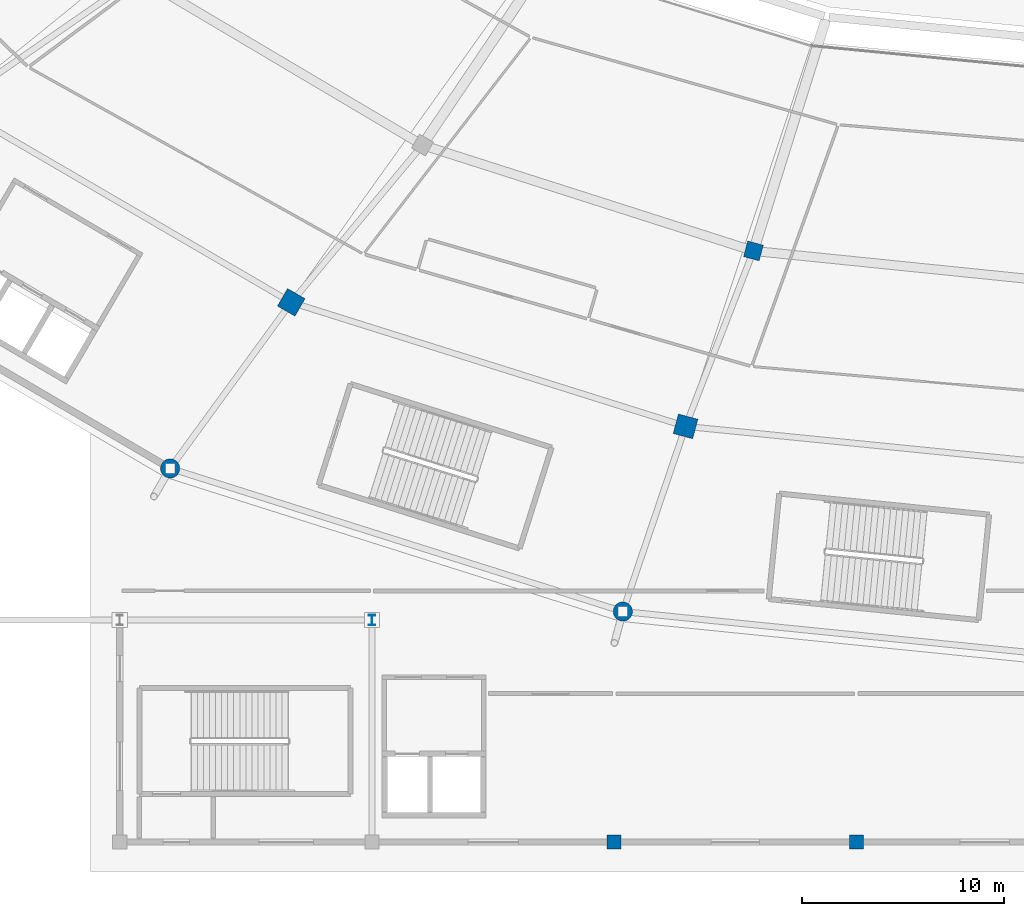
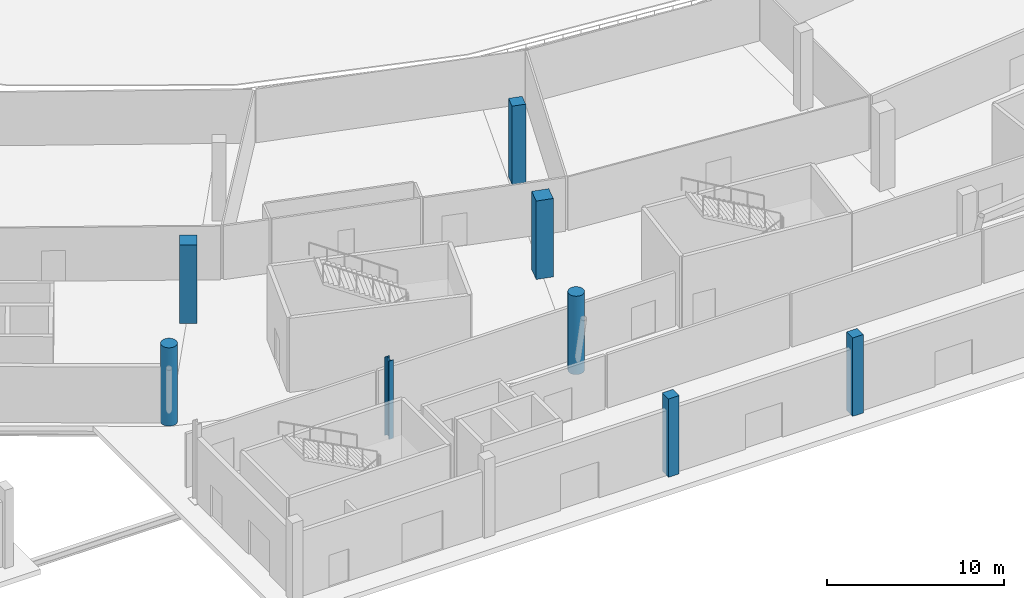
# One storey, part 4 of 82: 8 columns.
"""IFC4 building model written with IfcOpenShell, lengths in metres."""

from ifc_helpers import new_model, si_unit, direction, frame, origin, origin_2d, place, context, subcontext, project, spatial, rectangle, circle, i_section, extrude, material, material_profile, profile_set, type_object, element, save


model = new_model("IFC4")

# Units and contexts
model_context = context("Model", 3, precision=1e-05, world=origin(), true_north=direction((0.0, 1.0)))
body_context = subcontext(model_context, "Body", "Model", "MODEL_VIEW")
ifc_project = project(units=[si_unit("LENGTHUNIT", "METRE"), si_unit("AREAUNIT", "SQUARE_METRE"), si_unit("VOLUMEUNIT", "CUBIC_METRE"), si_unit("PLANEANGLEUNIT", "RADIAN"), si_unit("MASSUNIT", "GRAM", prefix="KILO")], contexts=[model_context])

# Site, building, storey
site_placement = place(None, origin())
site = spatial("IfcSite", under=ifc_project, at=site_placement, CompositionType="ELEMENT")
building_placement = place(site_placement, origin())
building = spatial("IfcBuilding", under=site, at=building_placement, Name="Zlatoyarsky Gate Stadium", CompositionType="ELEMENT")
storey_placement = place(building_placement, origin())
storey = spatial("IfcBuildingStorey", under=building, at=storey_placement, Name="L00", CompositionType="ELEMENT", Elevation=0.0)

# Columns
ifc_material_1 = material(Name="Concrete C40/50", Category="concrete")
ifc_material_profile_1 = material_profile(ifc_material_1, circle(Radius=0.47509765625, at=origin_2d()), Name="RC COL D950")
ifc_profile_set_1 = profile_set([ifc_material_profile_1], Name="Concrete C40/50")
column_type_1 = type_object("IfcColumnType", Name="CONCRETE CIRCULAR COLUMN D950", PredefinedType="COLUMN", material=ifc_profile_set_1)
for number, where, z_axis, x_axis, name in (
    (1, (64.5, 18.51220703125, 0.0), (0.0, 0.0, 1.0), (-0.5, -0.866025403784, 0.0), "Column RC-CD95 RC-16 on L00"),
    (2, (86.9296875, 11.419189453125, 0.0), (0.0, 0.0, 1.0), (-0.258819045103, -0.965925826289, 0.0), "Column RC-CD95 RC-17 on L00"),
):
    element("IfcColumn", number, at=place(storey_placement, frame(where, z_axis=z_axis, x_axis=x_axis)), inside=storey, type_object=column_type_1, Name=name, PredefinedType="COLUMN", context=body_context, shape_type="SweptSolid", body=[
        extrude(circle(Radius=0.47509765625, at=origin_2d()), origin(), (0.0, 0.0, 1.0), 5.39990234375),
    ])
ifc_material_profile_2 = material_profile(ifc_material_1, rectangle(XDim=1.0, YDim=1.0, at=origin_2d()), Name="RC COL 1000X1000")
ifc_profile_set_2 = profile_set([ifc_material_profile_2], Name="Concrete C40/50")
column_type_2 = type_object("IfcColumnType", Name="CONCRETE COLUMN 1000X1000", PredefinedType="COLUMN", material=ifc_profile_set_2)
for number, where, z_axis, x_axis, name in (
    (3, (70.5, 26.739501953125, 0.0), (0.0, 0.0, 1.0), (-0.5, -0.866025403784, 0.0), "Column RC-C100 RB-16 on L00"),
    (4, (90.03564453125, 20.595703125, 0.0), (0.0, 0.0, 1.0), (-0.258819045103, -0.965925826289, 0.0), "Column RC-C100 RB-17 on L00"),
):
    element("IfcColumn", number, at=place(storey_placement, frame(where, z_axis=z_axis, x_axis=x_axis)), inside=storey, type_object=column_type_2, Name=name, PredefinedType="COLUMN", context=body_context, shape_type="SweptSolid", body=[
        extrude(rectangle(XDim=1.0, YDim=1.0, at=origin_2d()), origin(), (0.0, 0.0, 1.0), 5.39990234375),
    ])
ifc_material_profile_3 = material_profile(ifc_material_1, rectangle(XDim=0.699951171875, YDim=0.699951171875, at=origin_2d()), Name="RC COL 700X700")
ifc_profile_set_3 = profile_set([ifc_material_profile_3], Name="Concrete C40/50")
column_type_3 = type_object("IfcColumnType", Name="CONCRETE COLUMN 700X700", PredefinedType="COLUMN", material=ifc_profile_set_3)
for number, where, z_axis, x_axis, name in (
    (5, (86.5, 0.0, 0.0), (0.0, 0.0, 1.0), (1.0, 0.0, 0.0), "Column RC-C70 WG-8-A on L00"),
    (6, (98.5, 0.0, 0.0), (0.0, 0.0, 1.0), (1.0, 0.0, 0.0), "Column RC-C70 WG-9-A on L00"),
):
    element("IfcColumn", number, at=place(storey_placement, frame(where, z_axis=z_axis, x_axis=x_axis)), inside=storey, type_object=column_type_3, Name=name, PredefinedType="COLUMN", context=body_context, shape_type="SweptSolid", body=[
        extrude(rectangle(XDim=0.699951171875, YDim=0.699951171875, at=origin_2d()), origin(), (0.0, 0.0, 1.0), 5.39990234375),
    ])
ifc_material_profile_4 = material_profile(ifc_material_1, rectangle(XDim=0.800048828125, YDim=0.800048828125, at=origin_2d()), Name="RC COL 800X800")
ifc_profile_set_4 = profile_set([ifc_material_profile_4], Name="Concrete C40/50")
column_type_4 = type_object("IfcColumnType", Name="CONCRETE COLUMN 800X800", PredefinedType="COLUMN", material=ifc_profile_set_4)
column_1_placement = place(storey_placement, frame((93.400390625, 29.288818359375, 0.0), z_axis=(0.0, 0.0, 1.0), x_axis=(-0.258819045103, -0.965925826289, 0.0)))
element("IfcColumn", 7, at=column_1_placement, inside=storey, type_object=column_type_4, Name="Column RC-C80 RA-17 on L00", PredefinedType="COLUMN", context=body_context, shape_type="SweptSolid", body=[
    extrude(rectangle(XDim=0.800048828125, YDim=0.800048828125, at=origin_2d()), origin(), (0.0, 0.0, 1.0), 5.39990234375),
])
ifc_material_2 = material(Name="Steel S355", Category="steel")
ifc_material_profile_5 = material_profile(ifc_material_2, i_section(OverallWidth=0.300048828125, OverallDepth=0.5, WebThickness=0.014404296875, FlangeThickness=0.028076171875, FilletRadius=0.027099609375, at=origin_2d()), Name="HEB 500")
ifc_profile_set_5 = profile_set([ifc_material_profile_5], Name="Steel S355")
column_type_5 = type_object("IfcColumnType", Name="STEEL COLUMN HEB 500", PredefinedType="COLUMN", material=ifc_profile_set_5)
column_2_placement = place(storey_placement, frame((74.5, 11.0, 0.0), z_axis=(0.0, 0.0, 1.0), x_axis=(1.0, 0.0, 0.0)))
element("IfcColumn", 8, at=column_2_placement, inside=storey, type_object=column_type_5, Name="Column ST-C500 WG-7-B on L00", PredefinedType="COLUMN", context=body_context, shape_type="SweptSolid", body=[
    extrude(i_section(OverallWidth=0.300048828125, OverallDepth=0.5, WebThickness=0.014404296875, FlangeThickness=0.028076171875, FilletRadius=0.027099609375, at=origin_2d()), origin(), (0.0, 0.0, 1.0), 5.39990234375),
])

save(model, "model.ifc")
